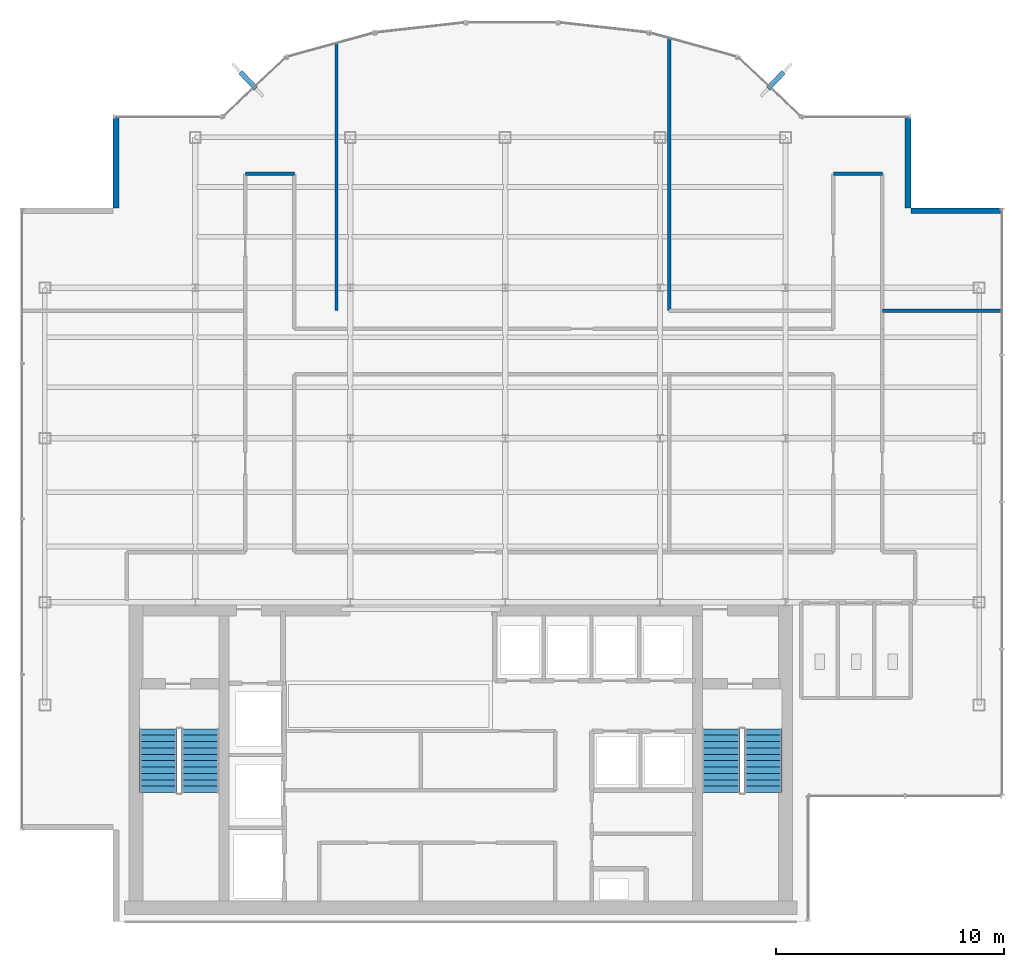
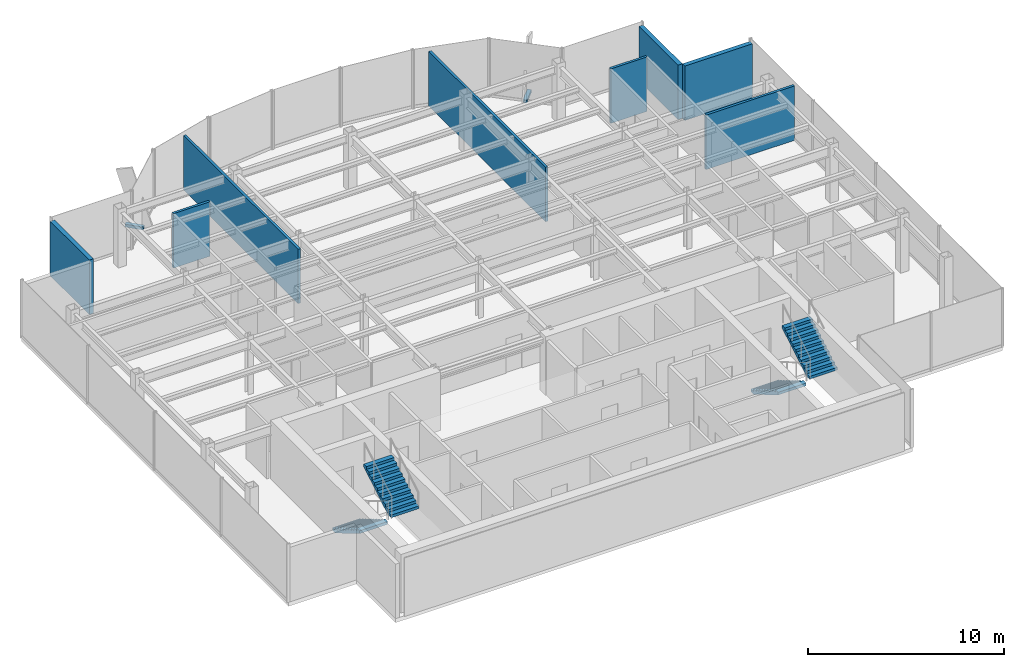
# One storey, part 19 of 22: 8 walls, 4 stair flights, 2 discrete accessories, 2 elements without a shape of their own.
"""IFC4 building model written with IfcOpenShell, lengths in metres."""

from ifc_helpers import new_model, si_unit, derived_unit, direction, frame, frame_2d, origin, origin_2d, place, context, subcontext, project, spatial, polyline, rectangle, outline, extrude, source, transform, mapped, material, layer, layer_set, type_object, element, aggregate, save


model = new_model("IFC4")

# Units and contexts
model_context = context("Model", 3, precision=1e-05, world=origin(), true_north=direction((0.0, 1.0)))
body_context = subcontext(model_context, "Body", "Model", "MODEL_VIEW")
ifc_project = project(units=[si_unit("LENGTHUNIT", "METRE"), si_unit("AREAUNIT", "SQUARE_METRE"), si_unit("VOLUMEUNIT", "CUBIC_METRE"), si_unit("PLANEANGLEUNIT", "RADIAN"), si_unit("MASSUNIT", "GRAM", prefix="KILO"), derived_unit("THERMALTRANSMITTANCEUNIT", [(si_unit("POWERUNIT", "WATT"), 1), (si_unit("LENGTHUNIT", "METRE"), -2), (si_unit("THERMODYNAMICTEMPERATUREUNIT", "KELVIN"), -1)])], contexts=[model_context])

# Site, building, storey
site_placement = place(None, origin())
site = spatial("IfcSite", under=ifc_project, at=site_placement, CompositionType="ELEMENT")
building_placement = place(site_placement, origin())
building = spatial("IfcBuilding", under=site, at=building_placement, Name="Skarnbrae Concourse Arena and Tower", CompositionType="ELEMENT")
storey_placement = place(building_placement, frame((0.0, 0.0, 266.10009765625)))
storey = spatial("IfcBuildingStorey", under=building, at=storey_placement, Name="L69", CompositionType="ELEMENT", Elevation=266.10009765625)

# Walls
ifc_material_1 = material(Name="Precast concrete 40 MPa (C40/50)", Category="concrete")
ifc_layer_1 = layer(ifc_material_1, 0.25)
ifc_layer_set_1 = layer_set([ifc_layer_1], Name="Precast concrete 40 MPa (C40/50)")
wall_type_1 = type_object("IfcWallType", Name="WALL-EXT-SPANDREL-250", PredefinedType="STANDARD", material=ifc_layer_set_1)
shared_shape_1 = source(origin(), body_context, "Body", "SweptSolid", [
    extrude(rectangle(XDim=4.0, YDim=0.25, at=frame_2d((2.0, 0.0))), origin(), (0.0, 0.0, 1.0), 3.39990234375),
])
for number, where, z_axis, x_axis, name in (
    (1, (43.0, 31.175048828125, 0.0), (0.0, 0.0, 1.0), (-1.0, 0.0, 0.0), "L69 Notched corner insulated return wall 05"),
    (2, (38.875, 31.300048828125, 0.0), (0.0, 0.0, 1.0), (0.0, 1.0, 0.0), "L69 Notched corner insulated return wall 06"),
    (3, (4.125, 35.300048828125, 0.0), (0.0, 0.0, 1.0), (0.0, -1.0, 0.0), "L69 Notched corner insulated return wall 16"),
):
    element("IfcWall", number, at=place(storey_placement, frame(where, z_axis=z_axis, x_axis=x_axis)), inside=storey, type_object=wall_type_1, Name=name, PredefinedType="STANDARD", context=body_context, shape_type="MappedRepresentation", body=[
        mapped(shared_shape_1, transform((0.0, 0.0, 0.0))),
    ])
ifc_material_2 = material(Name="Gypsum board on cold-formed steel studs", Category="steel")
ifc_layer_2 = layer(ifc_material_2, 0.14990234375)
ifc_layer_set_2 = layer_set([ifc_layer_2], Name="Gypsum board on cold-formed steel studs")
wall_type_2 = type_object("IfcWallType", Name="WALL-PART-150-1HR", PredefinedType="PARTITIONING", material=ifc_layer_set_2)
shared_shape_2 = source(origin(), body_context, "Body", "SweptSolid", [
    extrude(rectangle(XDim=2.14990234375, YDim=0.14990234375, at=frame_2d((1.074951171875, 0.0))), origin(), (0.0, 0.0, 1.0), 3.39990234375),
])
for number, where, z_axis, x_axis, name in (
    (4, (9.800048828125, 32.800048828125, 0.0), (0.0, 0.0, 1.0), (1.0, 0.0, 0.0), "L69 Interior partition wall W-L69-COR-06"),
    (5, (35.60009765625, 32.800048828125, 0.0), (0.0, 0.0, 1.0), (1.0, 0.0, 0.0), "L69 Interior partition wall W-L69-COR-10"),
):
    element("IfcWall", number, at=place(storey_placement, frame(where, z_axis=z_axis, x_axis=x_axis)), inside=storey, type_object=wall_type_2, Name=name, PredefinedType="PARTITIONING", context=body_context, shape_type="MappedRepresentation", body=[
        mapped(shared_shape_2, transform((0.0, 0.0, 0.0))),
    ])
ifc_layer_3 = layer(ifc_material_2, 0.14990234375)
ifc_layer_set_3 = layer_set([ifc_layer_3], Name="Gypsum board on cold-formed steel studs")
wall_type_3 = type_object("IfcWallType", Name="WALL-PART-150", PredefinedType="PARTITIONING", material=ifc_layer_set_3)
shared_shape_3 = source(origin(), body_context, "Body", "SweptSolid", [
    extrude(rectangle(XDim=11.71484375, YDim=0.14990234375, at=frame_2d((5.857421875, 0.0))), origin(), (0.0, 0.0, 1.0), 3.39990234375),
])
wall_1_placement = place(storey_placement, frame((13.800048828125, 38.514892578125, 0.0), z_axis=(0.0, 0.0, 1.0), x_axis=(0.0, -1.0, 0.0)))
element("IfcWall", 6, at=wall_1_placement, inside=storey, type_object=wall_type_3, Name="L69 Interior partition wall W-L69-DEM-22", PredefinedType="PARTITIONING", context=body_context, shape_type="MappedRepresentation", body=[
    mapped(shared_shape_3, transform((0.0, 0.0, 0.0))),
])
shared_shape_4 = source(origin(), body_context, "Body", "SweptSolid", [
    extrude(rectangle(XDim=11.935302734375, YDim=0.14990234375, at=frame_2d((5.9677734375, 0.0))), origin(), (0.0, 0.0, 1.0), 3.39990234375),
])
wall_2_placement = place(storey_placement, frame((28.39990234375, 38.7353515625, 0.0), z_axis=(0.0, 0.0, 1.0), x_axis=(0.0, -1.0, 0.0)))
element("IfcWall", 7, at=wall_2_placement, inside=storey, type_object=wall_type_3, Name="L69 Interior partition wall W-L69-DEM-24", PredefinedType="PARTITIONING", context=body_context, shape_type="MappedRepresentation", body=[
    mapped(shared_shape_4, transform((0.0, 0.0, 0.0))),
])
shared_shape_5 = source(origin(), body_context, "Body", "SweptSolid", [
    extrude(rectangle(XDim=5.22998046875, YDim=0.14990234375, at=frame_2d((2.614990234375, 0.0))), origin(), (0.0, 0.0, 1.0), 3.39990234375),
])
wall_3_placement = place(storey_placement, frame((42.97998046875, 26.800048828125, 0.0), z_axis=(0.0, 0.0, 1.0), x_axis=(-1.0, 0.0, 0.0)))
element("IfcWall", 8, at=wall_3_placement, inside=storey, type_object=wall_type_3, Name="L69 Interior partition wall W-L69-DEM-26", PredefinedType="PARTITIONING", context=body_context, shape_type="MappedRepresentation", body=[
    mapped(shared_shape_5, transform((0.0, 0.0, 0.0))),
])

# Stair, stair flights
ifc_material_3 = material(Name="Concrete 40 MPa (C40/50)", Category="concrete")
stair_type = type_object("IfcStairType", Name="STAIR-DOGLEG-1650", PredefinedType="HALF_TURN_STAIR", material=ifc_material_3)
stair_1_placement = place(storey_placement, origin())
stair_1 = element("IfcStair", 9, at=stair_1_placement, inside=storey, type_object=stair_type, Name="L69 Protected Exit Stair ST-1", PredefinedType="HALF_TURN_STAIR")
stair_flight_type = type_object("IfcStairFlightType", Name="FLIGHT-STRAIGHT-1650", PredefinedType="STRAIGHT", material=ifc_material_3)
shared_shape_6 = source(origin(), body_context, "Body", "SweptSolid", [
    extrude(outline(polyline([(0.0, 0.0), (0.0, 0.166015625), (0.280029296875, 0.166015625), (0.280029296875, 0.331787109375), (0.56005859375, 0.331787109375), (0.56005859375, 0.497802734375), (0.840087890625, 0.497802734375), (0.840087890625, 0.66357421875), (1.1201171875, 0.66357421875), (1.1201171875, 0.82958984375), (1.39990234375, 0.82958984375), (1.39990234375, 0.995361328125), (1.679931640625, 0.995361328125), (1.679931640625, 1.161376953125), (1.9599609375, 1.161376953125), (1.9599609375, 1.327392578125), (2.239990234375, 1.327392578125), (2.239990234375, 1.4931640625), (2.52001953125, 1.4931640625), (2.52001953125, 1.6591796875), (2.800048828125, 1.6591796875), (2.800048828125, 1.824951171875), (2.800048828125, 1.48486328125), (0.2939453125, 0.0), (0.0, 0.0)])), frame((0.0, 0.824951171875, 0.0), z_axis=(0.0, -1.0, 0.0), x_axis=(1.0, 0.0, 0.0)), (0.0, 0.0, 1.0), 1.64990234375),
])
stair_flight_1_placement = place(storey_placement, frame((5.97509765625, 8.449951171875, 0.0), z_axis=(0.0, 0.0, 1.0), x_axis=(0.0, -1.0, 0.0)))
stair_flight_1 = element("IfcStairFlight", 10, at=stair_flight_1_placement, type_object=stair_flight_type, Name="ST-1 flight 1", NumberOfRisers=11, NumberOfTreads=10, PredefinedType="STRAIGHT", RiserHeight=0.165909091, TreadLength=0.28, context=body_context, shape_type="MappedRepresentation", body=[
    mapped(shared_shape_6, transform((0.0, 0.0, 0.0))),
])
stair_flight_2_placement = place(storey_placement, frame((7.824951171875, 5.64990234375, 1.824951171875), z_axis=(0.0, 0.0, 1.0), x_axis=(0.0, 1.0, 0.0)))
stair_flight_2 = element("IfcStairFlight", 11, at=stair_flight_2_placement, type_object=stair_flight_type, Name="ST-1 flight 2", NumberOfRisers=11, NumberOfTreads=10, PredefinedType="STRAIGHT", RiserHeight=0.165909091, TreadLength=0.28, context=body_context, shape_type="MappedRepresentation", body=[
    mapped(shared_shape_6, transform((0.0, 0.0, 0.0))),
])
aggregate(stair_1, [stair_flight_1, stair_flight_2])

stair_2_placement = place(storey_placement, origin())
stair_2 = element("IfcStair", 12, at=stair_2_placement, inside=storey, type_object=stair_type, Name="L69 Protected Exit Stair ST-2", PredefinedType="HALF_TURN_STAIR")
stair_flight_3_placement = place(storey_placement, frame((30.675048828125, 8.449951171875, 0.0), z_axis=(0.0, 0.0, 1.0), x_axis=(0.0, -1.0, 0.0)))
stair_flight_3 = element("IfcStairFlight", 13, at=stair_flight_3_placement, type_object=stair_flight_type, Name="ST-2 flight 1", NumberOfRisers=11, NumberOfTreads=10, PredefinedType="STRAIGHT", RiserHeight=0.165909091, TreadLength=0.28, context=body_context, shape_type="MappedRepresentation", body=[
    mapped(shared_shape_6, transform((0.0, 0.0, 0.0))),
])
stair_flight_4_placement = place(storey_placement, frame((32.52490234375, 5.64990234375, 1.824951171875), z_axis=(0.0, 0.0, 1.0), x_axis=(0.0, 1.0, 0.0)))
stair_flight_4 = element("IfcStairFlight", 14, at=stair_flight_4_placement, type_object=stair_flight_type, Name="ST-2 flight 2", NumberOfRisers=11, NumberOfTreads=10, PredefinedType="STRAIGHT", RiserHeight=0.165909091, TreadLength=0.28, context=body_context, shape_type="MappedRepresentation", body=[
    mapped(shared_shape_6, transform((0.0, 0.0, 0.0))),
])
aggregate(stair_2, [stair_flight_3, stair_flight_4])

# Discrete accessories
ifc_material_4 = material(Name="Bronze anodised aluminium 6063-T6", Category="aluminium")
discrete_accessory_type = type_object("IfcDiscreteAccessoryType", Name="ACC-FIN-BRACKET", PredefinedType="BRACKET", material=ifc_material_4)
shared_shape_7 = source(origin(), body_context, "Body", "SweptSolid", [
    extrude(rectangle(XDim=0.219970703125, YDim=0.97998046875, at=origin_2d()), origin(), (0.0, 0.0, 1.0), 0.179931640625),
])
for number, where, z_axis, x_axis, name in (
    (15, (33.0791015625, 36.904541015625, -0.0302734375), (0.0, 0.0, 1.0), (0.728131751529, -0.685437198009, 0.0), "L69 Bronze fin foot support bracket 08"),
    (16, (9.9208984375, 36.904541015625, -0.0302734375), (0.0, 0.0, 1.0), (0.728131751529, 0.685437198009, 0.0), "L69 Bronze fin foot support bracket 14"),
):
    element("IfcDiscreteAccessory", number, at=place(storey_placement, frame(where, z_axis=z_axis, x_axis=x_axis)), inside=storey, type_object=discrete_accessory_type, Name=name, PredefinedType="BRACKET", context=body_context, shape_type="MappedRepresentation", body=[
        mapped(shared_shape_7, transform((0.0, 0.0, 0.0))),
    ])

save(model, "model.ifc")
